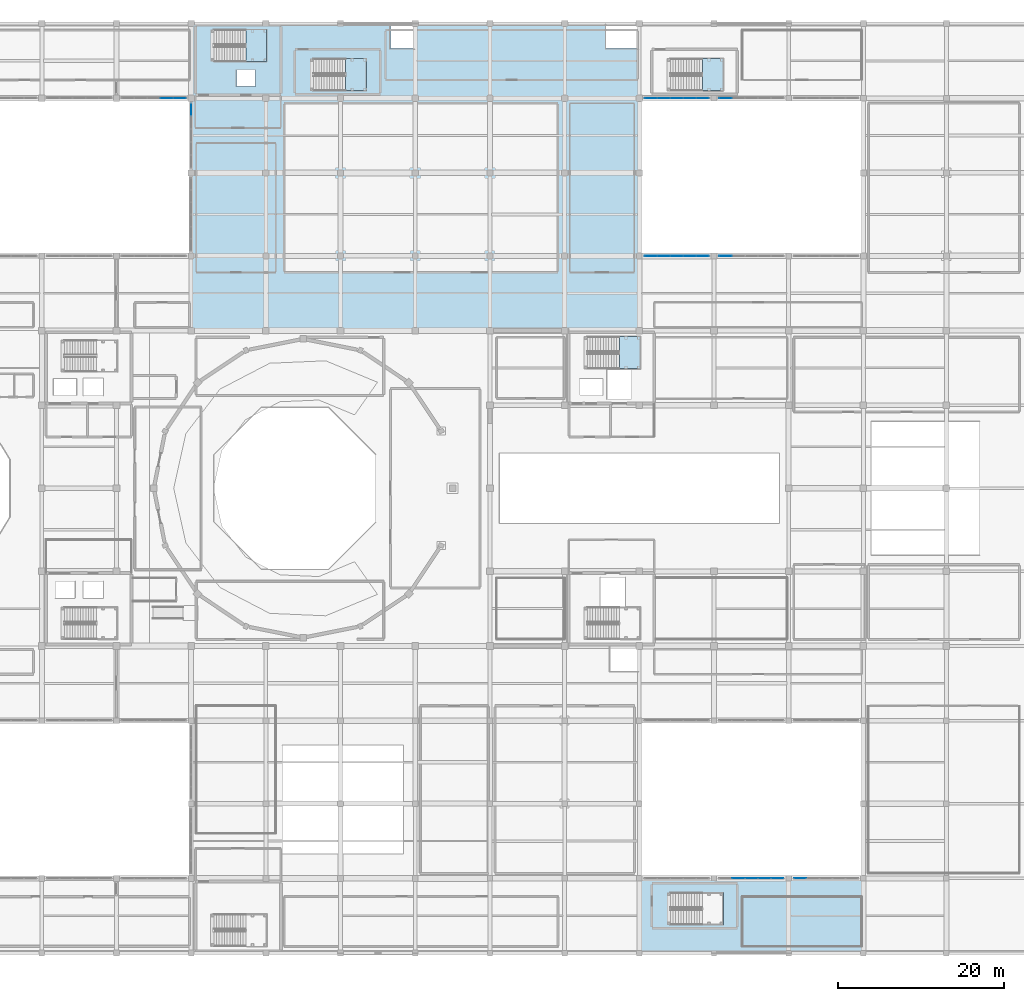
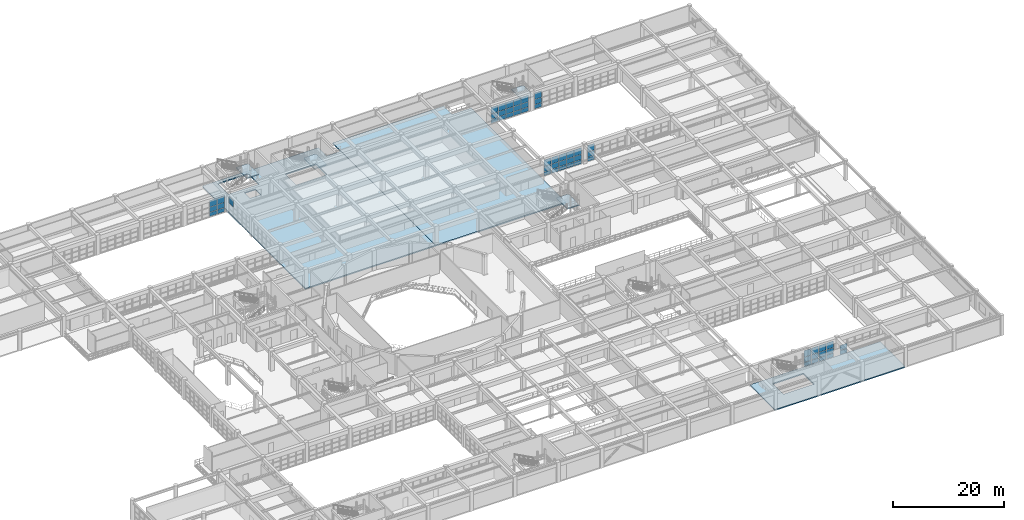
# One storey, part 98 of 133: 57 plates, 7 slabs, 12 elements without a shape of their own.
"""IFC4 building model written with IfcOpenShell, lengths in metres."""

from ifc_helpers import new_model, si_unit, direction, frame, origin, origin_2d, place, context, subcontext, project, spatial, polyline, rectangle, outline, extrude, material, layer, layer_set, type_object, element, aggregate, save


model = new_model("IFC4")

# Units and contexts
model_context = context("Model", 3, precision=1e-05, world=origin(), true_north=direction((0.0, 1.0)))
body_context = subcontext(model_context, "Body", "Model", "MODEL_VIEW")
ifc_project = project(units=[si_unit("LENGTHUNIT", "METRE"), si_unit("AREAUNIT", "SQUARE_METRE"), si_unit("VOLUMEUNIT", "CUBIC_METRE"), si_unit("PLANEANGLEUNIT", "RADIAN"), si_unit("MASSUNIT", "GRAM", prefix="KILO")], contexts=[model_context])

# Site, building, storey
site_placement = place(None, origin())
site = spatial("IfcSite", under=ifc_project, at=site_placement, CompositionType="ELEMENT")
building_placement = place(site_placement, origin())
building = spatial("IfcBuilding", under=site, at=building_placement, Name="Miravela Opera House", CompositionType="ELEMENT")
storey_placement = place(building_placement, frame((0.0, 0.0, 5.10009765625)))
storey = spatial("IfcBuildingStorey", under=building, at=storey_placement, Name="L01", CompositionType="ELEMENT", Elevation=5.10009765625)

# Curtain wall, plates
ifc_material_1 = material(Name="Anodised architectural bronze aluminium 6063-T6", Category="aluminium")
curtain_wall_type_1 = type_object("IfcCurtainWallType", Name="ARC-CW-05", PredefinedType="NOTDEFINED", material=ifc_material_1)
curtain_wall_1_placement = place(storey_placement, origin())
curtain_wall_1 = element("IfcCurtainWall", 1, at=curtain_wall_1_placement, inside=storey, type_object=curtain_wall_type_1, Name="Courtyard Arcade Curtain Wall CW-L01-084", PredefinedType="NOTDEFINED")
ifc_material_2 = material(Name="Acoustic laminated low-E insulating glass", Category="glass")
ifc_layer_1 = layer(ifc_material_2, 0.028076171875)
ifc_layer_set_1 = layer_set([ifc_layer_1])
plate_type = type_object("IfcPlateType", Name="ARC-CWP-28", PredefinedType="CURTAIN_PANEL", material=ifc_layer_set_1)
plate_1_placement = place(storey_placement, frame((60.068115234375, 103.0, 0.06005859375), z_axis=(0.0, 0.0, 1.0), x_axis=(1.0, 0.0, 0.0)))
plate_1 = element("IfcPlate", 2, at=plate_1_placement, type_object=plate_type, Name="CW-05 panel 4.1", PredefinedType="CURTAIN_PANEL", context=body_context, shape_type="SweptSolid", body=[
    extrude(rectangle(XDim=1.508056640625, YDim=0.028076171875, at=origin_2d()), origin(), (0.0, 0.0, 1.0), 0.860107421875),
])
plate_2_placement = place(storey_placement, frame((60.068115234375, 103.0, 0.97998046875), z_axis=(0.0, 0.0, 1.0), x_axis=(1.0, 0.0, 0.0)))
plate_2 = element("IfcPlate", 3, at=plate_2_placement, type_object=plate_type, Name="CW-05 panel 4.2", PredefinedType="CURTAIN_PANEL", context=body_context, shape_type="SweptSolid", body=[
    extrude(rectangle(XDim=1.508056640625, YDim=0.028076171875, at=origin_2d()), origin(), (0.0, 0.0, 1.0), 1.083740234375),
])
plate_3_placement = place(storey_placement, frame((60.068115234375, 103.0, 2.123779296875), z_axis=(0.0, 0.0, 1.0), x_axis=(1.0, 0.0, 0.0)))
plate_3 = element("IfcPlate", 4, at=plate_3_placement, type_object=plate_type, Name="CW-05 panel 4.3", PredefinedType="CURTAIN_PANEL", context=body_context, shape_type="SweptSolid", body=[
    extrude(rectangle(XDim=1.508056640625, YDim=0.028076171875, at=origin_2d()), origin(), (0.0, 0.0, 1.0), 1.42626953125),
])
plate_4_placement = place(storey_placement, frame((61.62109375, 103.0, 0.06005859375), z_axis=(0.0, 0.0, 1.0), x_axis=(1.0, 0.0, 0.0)))
plate_4 = element("IfcPlate", 5, at=plate_4_placement, type_object=plate_type, Name="CW-05 panel 5.1", PredefinedType="CURTAIN_PANEL", context=body_context, shape_type="SweptSolid", body=[
    extrude(rectangle(XDim=1.47802734375, YDim=0.028076171875, at=origin_2d()), origin(), (0.0, 0.0, 1.0), 0.860107421875),
])
plate_5_placement = place(storey_placement, frame((61.62109375, 103.0, 0.97998046875), z_axis=(0.0, 0.0, 1.0), x_axis=(1.0, 0.0, 0.0)))
plate_5 = element("IfcPlate", 6, at=plate_5_placement, type_object=plate_type, Name="CW-05 panel 5.2", PredefinedType="CURTAIN_PANEL", context=body_context, shape_type="SweptSolid", body=[
    extrude(rectangle(XDim=1.47802734375, YDim=0.028076171875, at=origin_2d()), origin(), (0.0, 0.0, 1.0), 1.083740234375),
])
plate_6_placement = place(storey_placement, frame((61.62109375, 103.0, 2.123779296875), z_axis=(0.0, 0.0, 1.0), x_axis=(1.0, 0.0, 0.0)))
plate_6 = element("IfcPlate", 7, at=plate_6_placement, type_object=plate_type, Name="CW-05 panel 5.3", PredefinedType="CURTAIN_PANEL", context=body_context, shape_type="SweptSolid", body=[
    extrude(rectangle(XDim=1.47802734375, YDim=0.028076171875, at=origin_2d()), origin(), (0.0, 0.0, 1.0), 1.42626953125),
])
aggregate(curtain_wall_1, [plate_1, plate_2, plate_3, plate_4, plate_5, plate_6])

# Curtain wall, plate
curtain_wall_2_placement = place(storey_placement, origin())
curtain_wall_2 = element("IfcCurtainWall", 8, at=curtain_wall_2_placement, inside=storey, type_object=curtain_wall_type_1, Name="Courtyard Arcade Curtain Wall CW-L01-088", PredefinedType="NOTDEFINED")
plate_7_placement = place(storey_placement, frame((63.0, 101.62109375, 2.123779296875), z_axis=(0.0, 0.0, 1.0), x_axis=(0.0, 1.0, 0.0)))
plate_7 = element("IfcPlate", 9, at=plate_7_placement, type_object=plate_type, Name="CW-05 panel 5.3", PredefinedType="CURTAIN_PANEL", context=body_context, shape_type="SweptSolid", body=[
    extrude(rectangle(XDim=1.47802734375, YDim=0.028076171875, at=origin_2d()), origin(), (0.0, 0.0, 1.0), 1.42626953125),
])
aggregate(curtain_wall_2, [plate_7])

# Curtain wall, plates
curtain_wall_3_placement = place(storey_placement, origin())
curtain_wall_3 = element("IfcCurtainWall", 10, at=curtain_wall_3_placement, inside=storey, type_object=curtain_wall_type_1, Name="Courtyard Arcade Curtain Wall CW-L01-168", PredefinedType="NOTDEFINED")
plate_8_placement = place(storey_placement, frame((118.37890625, 84.0, 0.06005859375), z_axis=(0.0, 0.0, 1.0), x_axis=(1.0, 0.0, 0.0)))
plate_8 = element("IfcPlate", 11, at=plate_8_placement, type_object=plate_type, Name="CW-05 panel 1.1", PredefinedType="CURTAIN_PANEL", context=body_context, shape_type="SweptSolid", body=[
    extrude(rectangle(XDim=1.47802734375, YDim=0.028076171875, at=origin_2d()), origin(), (0.0, 0.0, 1.0), 0.860107421875),
])
plate_9_placement = place(storey_placement, frame((118.37890625, 84.0, 0.97998046875), z_axis=(0.0, 0.0, 1.0), x_axis=(1.0, 0.0, 0.0)))
plate_9 = element("IfcPlate", 12, at=plate_9_placement, type_object=plate_type, Name="CW-05 panel 1.2", PredefinedType="CURTAIN_PANEL", context=body_context, shape_type="SweptSolid", body=[
    extrude(rectangle(XDim=1.47802734375, YDim=0.028076171875, at=origin_2d()), origin(), (0.0, 0.0, 1.0), 1.083740234375),
])
plate_10_placement = place(storey_placement, frame((118.37890625, 84.0, 2.123779296875), z_axis=(0.0, 0.0, 1.0), x_axis=(1.0, 0.0, 0.0)))
plate_10 = element("IfcPlate", 13, at=plate_10_placement, type_object=plate_type, Name="CW-05 panel 1.3", PredefinedType="CURTAIN_PANEL", context=body_context, shape_type="SweptSolid", body=[
    extrude(rectangle(XDim=1.47802734375, YDim=0.028076171875, at=origin_2d()), origin(), (0.0, 0.0, 1.0), 1.42626953125),
])
plate_11_placement = place(storey_placement, frame((119.931884765625, 84.0, 0.06005859375), z_axis=(0.0, 0.0, 1.0), x_axis=(1.0, 0.0, 0.0)))
plate_11 = element("IfcPlate", 14, at=plate_11_placement, type_object=plate_type, Name="CW-05 panel 2.1", PredefinedType="CURTAIN_PANEL", context=body_context, shape_type="SweptSolid", body=[
    extrude(rectangle(XDim=1.508056640625, YDim=0.028076171875, at=origin_2d()), origin(), (0.0, 0.0, 1.0), 0.860107421875),
])
plate_12_placement = place(storey_placement, frame((119.931884765625, 84.0, 0.97998046875), z_axis=(0.0, 0.0, 1.0), x_axis=(1.0, 0.0, 0.0)))
plate_12 = element("IfcPlate", 15, at=plate_12_placement, type_object=plate_type, Name="CW-05 panel 2.2", PredefinedType="CURTAIN_PANEL", context=body_context, shape_type="SweptSolid", body=[
    extrude(rectangle(XDim=1.508056640625, YDim=0.028076171875, at=origin_2d()), origin(), (0.0, 0.0, 1.0), 1.083740234375),
])
plate_13_placement = place(storey_placement, frame((119.931884765625, 84.0, 2.123779296875), z_axis=(0.0, 0.0, 1.0), x_axis=(1.0, 0.0, 0.0)))
plate_13 = element("IfcPlate", 16, at=plate_13_placement, type_object=plate_type, Name="CW-05 panel 2.3", PredefinedType="CURTAIN_PANEL", context=body_context, shape_type="SweptSolid", body=[
    extrude(rectangle(XDim=1.508056640625, YDim=0.028076171875, at=origin_2d()), origin(), (0.0, 0.0, 1.0), 1.42626953125),
])
plate_14_placement = place(storey_placement, frame((121.5, 84.0, 0.06005859375), z_axis=(0.0, 0.0, 1.0), x_axis=(1.0, 0.0, 0.0)))
plate_14 = element("IfcPlate", 17, at=plate_14_placement, type_object=plate_type, Name="CW-05 panel 3.1", PredefinedType="CURTAIN_PANEL", context=body_context, shape_type="SweptSolid", body=[
    extrude(rectangle(XDim=1.508056640625, YDim=0.028076171875, at=origin_2d()), origin(), (0.0, 0.0, 1.0), 0.860107421875),
])
plate_15_placement = place(storey_placement, frame((121.5, 84.0, 0.97998046875), z_axis=(0.0, 0.0, 1.0), x_axis=(1.0, 0.0, 0.0)))
plate_15 = element("IfcPlate", 18, at=plate_15_placement, type_object=plate_type, Name="CW-05 panel 3.2", PredefinedType="CURTAIN_PANEL", context=body_context, shape_type="SweptSolid", body=[
    extrude(rectangle(XDim=1.508056640625, YDim=0.028076171875, at=origin_2d()), origin(), (0.0, 0.0, 1.0), 1.083740234375),
])
plate_16_placement = place(storey_placement, frame((121.5, 84.0, 2.123779296875), z_axis=(0.0, 0.0, 1.0), x_axis=(1.0, 0.0, 0.0)))
plate_16 = element("IfcPlate", 19, at=plate_16_placement, type_object=plate_type, Name="CW-05 panel 3.3", PredefinedType="CURTAIN_PANEL", context=body_context, shape_type="SweptSolid", body=[
    extrude(rectangle(XDim=1.508056640625, YDim=0.028076171875, at=origin_2d()), origin(), (0.0, 0.0, 1.0), 1.42626953125),
])
plate_17_placement = place(storey_placement, frame((123.068115234375, 84.0, 0.06005859375), z_axis=(0.0, 0.0, 1.0), x_axis=(1.0, 0.0, 0.0)))
plate_17 = element("IfcPlate", 20, at=plate_17_placement, type_object=plate_type, Name="CW-05 panel 4.1", PredefinedType="CURTAIN_PANEL", context=body_context, shape_type="SweptSolid", body=[
    extrude(rectangle(XDim=1.508056640625, YDim=0.028076171875, at=origin_2d()), origin(), (0.0, 0.0, 1.0), 0.860107421875),
])
plate_18_placement = place(storey_placement, frame((123.068115234375, 84.0, 0.97998046875), z_axis=(0.0, 0.0, 1.0), x_axis=(1.0, 0.0, 0.0)))
plate_18 = element("IfcPlate", 21, at=plate_18_placement, type_object=plate_type, Name="CW-05 panel 4.2", PredefinedType="CURTAIN_PANEL", context=body_context, shape_type="SweptSolid", body=[
    extrude(rectangle(XDim=1.508056640625, YDim=0.028076171875, at=origin_2d()), origin(), (0.0, 0.0, 1.0), 1.083740234375),
])
plate_19_placement = place(storey_placement, frame((123.068115234375, 84.0, 2.123779296875), z_axis=(0.0, 0.0, 1.0), x_axis=(1.0, 0.0, 0.0)))
plate_19 = element("IfcPlate", 22, at=plate_19_placement, type_object=plate_type, Name="CW-05 panel 4.3", PredefinedType="CURTAIN_PANEL", context=body_context, shape_type="SweptSolid", body=[
    extrude(rectangle(XDim=1.508056640625, YDim=0.028076171875, at=origin_2d()), origin(), (0.0, 0.0, 1.0), 1.42626953125),
])
plate_20_placement = place(storey_placement, frame((124.62109375, 84.0, 0.06005859375), z_axis=(0.0, 0.0, 1.0), x_axis=(1.0, 0.0, 0.0)))
plate_20 = element("IfcPlate", 23, at=plate_20_placement, type_object=plate_type, Name="CW-05 panel 5.1", PredefinedType="CURTAIN_PANEL", context=body_context, shape_type="SweptSolid", body=[
    extrude(rectangle(XDim=1.47802734375, YDim=0.028076171875, at=origin_2d()), origin(), (0.0, 0.0, 1.0), 0.860107421875),
])
plate_21_placement = place(storey_placement, frame((124.62109375, 84.0, 0.97998046875), z_axis=(0.0, 0.0, 1.0), x_axis=(1.0, 0.0, 0.0)))
plate_21 = element("IfcPlate", 24, at=plate_21_placement, type_object=plate_type, Name="CW-05 panel 5.2", PredefinedType="CURTAIN_PANEL", context=body_context, shape_type="SweptSolid", body=[
    extrude(rectangle(XDim=1.47802734375, YDim=0.028076171875, at=origin_2d()), origin(), (0.0, 0.0, 1.0), 1.083740234375),
])
plate_22_placement = place(storey_placement, frame((124.62109375, 84.0, 2.123779296875), z_axis=(0.0, 0.0, 1.0), x_axis=(1.0, 0.0, 0.0)))
plate_22 = element("IfcPlate", 25, at=plate_22_placement, type_object=plate_type, Name="CW-05 panel 5.3", PredefinedType="CURTAIN_PANEL", context=body_context, shape_type="SweptSolid", body=[
    extrude(rectangle(XDim=1.47802734375, YDim=0.028076171875, at=origin_2d()), origin(), (0.0, 0.0, 1.0), 1.42626953125),
])
aggregate(curtain_wall_3, [plate_8, plate_9, plate_10, plate_11, plate_12, plate_13, plate_14, plate_15, plate_16, plate_17, plate_18, plate_19, plate_20, plate_21, plate_22])

curtain_wall_4_placement = place(storey_placement, origin())
curtain_wall_4 = element("IfcCurtainWall", 26, at=curtain_wall_4_placement, inside=storey, type_object=curtain_wall_type_1, Name="Courtyard Arcade Curtain Wall CW-L01-169", PredefinedType="NOTDEFINED")
plate_23_placement = place(storey_placement, frame((118.37890625, 103.0, 0.06005859375), z_axis=(0.0, 0.0, 1.0), x_axis=(1.0, 0.0, 0.0)))
plate_23 = element("IfcPlate", 27, at=plate_23_placement, type_object=plate_type, Name="CW-05 panel 1.1", PredefinedType="CURTAIN_PANEL", context=body_context, shape_type="SweptSolid", body=[
    extrude(rectangle(XDim=1.47802734375, YDim=0.028076171875, at=origin_2d()), origin(), (0.0, 0.0, 1.0), 0.860107421875),
])
plate_24_placement = place(storey_placement, frame((118.37890625, 103.0, 0.97998046875), z_axis=(0.0, 0.0, 1.0), x_axis=(1.0, 0.0, 0.0)))
plate_24 = element("IfcPlate", 28, at=plate_24_placement, type_object=plate_type, Name="CW-05 panel 1.2", PredefinedType="CURTAIN_PANEL", context=body_context, shape_type="SweptSolid", body=[
    extrude(rectangle(XDim=1.47802734375, YDim=0.028076171875, at=origin_2d()), origin(), (0.0, 0.0, 1.0), 1.083740234375),
])
plate_25_placement = place(storey_placement, frame((118.37890625, 103.0, 2.123779296875), z_axis=(0.0, 0.0, 1.0), x_axis=(1.0, 0.0, 0.0)))
plate_25 = element("IfcPlate", 29, at=plate_25_placement, type_object=plate_type, Name="CW-05 panel 1.3", PredefinedType="CURTAIN_PANEL", context=body_context, shape_type="SweptSolid", body=[
    extrude(rectangle(XDim=1.47802734375, YDim=0.028076171875, at=origin_2d()), origin(), (0.0, 0.0, 1.0), 1.42626953125),
])
plate_26_placement = place(storey_placement, frame((119.931884765625, 103.0, 0.06005859375), z_axis=(0.0, 0.0, 1.0), x_axis=(1.0, 0.0, 0.0)))
plate_26 = element("IfcPlate", 30, at=plate_26_placement, type_object=plate_type, Name="CW-05 panel 2.1", PredefinedType="CURTAIN_PANEL", context=body_context, shape_type="SweptSolid", body=[
    extrude(rectangle(XDim=1.508056640625, YDim=0.028076171875, at=origin_2d()), origin(), (0.0, 0.0, 1.0), 0.860107421875),
])
plate_27_placement = place(storey_placement, frame((119.931884765625, 103.0, 0.97998046875), z_axis=(0.0, 0.0, 1.0), x_axis=(1.0, 0.0, 0.0)))
plate_27 = element("IfcPlate", 31, at=plate_27_placement, type_object=plate_type, Name="CW-05 panel 2.2", PredefinedType="CURTAIN_PANEL", context=body_context, shape_type="SweptSolid", body=[
    extrude(rectangle(XDim=1.508056640625, YDim=0.028076171875, at=origin_2d()), origin(), (0.0, 0.0, 1.0), 1.083740234375),
])
plate_28_placement = place(storey_placement, frame((119.931884765625, 103.0, 2.123779296875), z_axis=(0.0, 0.0, 1.0), x_axis=(1.0, 0.0, 0.0)))
plate_28 = element("IfcPlate", 32, at=plate_28_placement, type_object=plate_type, Name="CW-05 panel 2.3", PredefinedType="CURTAIN_PANEL", context=body_context, shape_type="SweptSolid", body=[
    extrude(rectangle(XDim=1.508056640625, YDim=0.028076171875, at=origin_2d()), origin(), (0.0, 0.0, 1.0), 1.42626953125),
])
plate_29_placement = place(storey_placement, frame((121.5, 103.0, 0.06005859375), z_axis=(0.0, 0.0, 1.0), x_axis=(1.0, 0.0, 0.0)))
plate_29 = element("IfcPlate", 33, at=plate_29_placement, type_object=plate_type, Name="CW-05 panel 3.1", PredefinedType="CURTAIN_PANEL", context=body_context, shape_type="SweptSolid", body=[
    extrude(rectangle(XDim=1.508056640625, YDim=0.028076171875, at=origin_2d()), origin(), (0.0, 0.0, 1.0), 0.860107421875),
])
plate_30_placement = place(storey_placement, frame((121.5, 103.0, 0.97998046875), z_axis=(0.0, 0.0, 1.0), x_axis=(1.0, 0.0, 0.0)))
plate_30 = element("IfcPlate", 34, at=plate_30_placement, type_object=plate_type, Name="CW-05 panel 3.2", PredefinedType="CURTAIN_PANEL", context=body_context, shape_type="SweptSolid", body=[
    extrude(rectangle(XDim=1.508056640625, YDim=0.028076171875, at=origin_2d()), origin(), (0.0, 0.0, 1.0), 1.083740234375),
])
plate_31_placement = place(storey_placement, frame((121.5, 103.0, 2.123779296875), z_axis=(0.0, 0.0, 1.0), x_axis=(1.0, 0.0, 0.0)))
plate_31 = element("IfcPlate", 35, at=plate_31_placement, type_object=plate_type, Name="CW-05 panel 3.3", PredefinedType="CURTAIN_PANEL", context=body_context, shape_type="SweptSolid", body=[
    extrude(rectangle(XDim=1.508056640625, YDim=0.028076171875, at=origin_2d()), origin(), (0.0, 0.0, 1.0), 1.42626953125),
])
plate_32_placement = place(storey_placement, frame((123.068115234375, 103.0, 0.06005859375), z_axis=(0.0, 0.0, 1.0), x_axis=(1.0, 0.0, 0.0)))
plate_32 = element("IfcPlate", 36, at=plate_32_placement, type_object=plate_type, Name="CW-05 panel 4.1", PredefinedType="CURTAIN_PANEL", context=body_context, shape_type="SweptSolid", body=[
    extrude(rectangle(XDim=1.508056640625, YDim=0.028076171875, at=origin_2d()), origin(), (0.0, 0.0, 1.0), 0.860107421875),
])
plate_33_placement = place(storey_placement, frame((123.068115234375, 103.0, 0.97998046875), z_axis=(0.0, 0.0, 1.0), x_axis=(1.0, 0.0, 0.0)))
plate_33 = element("IfcPlate", 37, at=plate_33_placement, type_object=plate_type, Name="CW-05 panel 4.2", PredefinedType="CURTAIN_PANEL", context=body_context, shape_type="SweptSolid", body=[
    extrude(rectangle(XDim=1.508056640625, YDim=0.028076171875, at=origin_2d()), origin(), (0.0, 0.0, 1.0), 1.083740234375),
])
plate_34_placement = place(storey_placement, frame((123.068115234375, 103.0, 2.123779296875), z_axis=(0.0, 0.0, 1.0), x_axis=(1.0, 0.0, 0.0)))
plate_34 = element("IfcPlate", 38, at=plate_34_placement, type_object=plate_type, Name="CW-05 panel 4.3", PredefinedType="CURTAIN_PANEL", context=body_context, shape_type="SweptSolid", body=[
    extrude(rectangle(XDim=1.508056640625, YDim=0.028076171875, at=origin_2d()), origin(), (0.0, 0.0, 1.0), 1.42626953125),
])
plate_35_placement = place(storey_placement, frame((124.62109375, 103.0, 0.06005859375), z_axis=(0.0, 0.0, 1.0), x_axis=(1.0, 0.0, 0.0)))
plate_35 = element("IfcPlate", 39, at=plate_35_placement, type_object=plate_type, Name="CW-05 panel 5.1", PredefinedType="CURTAIN_PANEL", context=body_context, shape_type="SweptSolid", body=[
    extrude(rectangle(XDim=1.47802734375, YDim=0.028076171875, at=origin_2d()), origin(), (0.0, 0.0, 1.0), 0.860107421875),
])
plate_36_placement = place(storey_placement, frame((124.62109375, 103.0, 0.97998046875), z_axis=(0.0, 0.0, 1.0), x_axis=(1.0, 0.0, 0.0)))
plate_36 = element("IfcPlate", 40, at=plate_36_placement, type_object=plate_type, Name="CW-05 panel 5.2", PredefinedType="CURTAIN_PANEL", context=body_context, shape_type="SweptSolid", body=[
    extrude(rectangle(XDim=1.47802734375, YDim=0.028076171875, at=origin_2d()), origin(), (0.0, 0.0, 1.0), 1.083740234375),
])
plate_37_placement = place(storey_placement, frame((124.62109375, 103.0, 2.123779296875), z_axis=(0.0, 0.0, 1.0), x_axis=(1.0, 0.0, 0.0)))
plate_37 = element("IfcPlate", 41, at=plate_37_placement, type_object=plate_type, Name="CW-05 panel 5.3", PredefinedType="CURTAIN_PANEL", context=body_context, shape_type="SweptSolid", body=[
    extrude(rectangle(XDim=1.47802734375, YDim=0.028076171875, at=origin_2d()), origin(), (0.0, 0.0, 1.0), 1.42626953125),
])
aggregate(curtain_wall_4, [plate_23, plate_24, plate_25, plate_26, plate_27, plate_28, plate_29, plate_30, plate_31, plate_32, plate_33, plate_34, plate_35, plate_36, plate_37])

curtain_wall_5_placement = place(storey_placement, origin())
curtain_wall_5 = element("IfcCurtainWall", 42, at=curtain_wall_5_placement, inside=storey, type_object=curtain_wall_type_1, Name="Courtyard Arcade Curtain Wall CW-L01-172", PredefinedType="NOTDEFINED")
plate_38_placement = place(storey_placement, frame((127.37890625, 84.0, 0.06005859375), z_axis=(0.0, 0.0, 1.0), x_axis=(1.0, 0.0, 0.0)))
plate_38 = element("IfcPlate", 43, at=plate_38_placement, type_object=plate_type, Name="CW-05 panel 1.1", PredefinedType="CURTAIN_PANEL", context=body_context, shape_type="SweptSolid", body=[
    extrude(rectangle(XDim=1.47802734375, YDim=0.028076171875, at=origin_2d()), origin(), (0.0, 0.0, 1.0), 0.860107421875),
])
plate_39_placement = place(storey_placement, frame((127.37890625, 84.0, 0.97998046875), z_axis=(0.0, 0.0, 1.0), x_axis=(1.0, 0.0, 0.0)))
plate_39 = element("IfcPlate", 44, at=plate_39_placement, type_object=plate_type, Name="CW-05 panel 1.2", PredefinedType="CURTAIN_PANEL", context=body_context, shape_type="SweptSolid", body=[
    extrude(rectangle(XDim=1.47802734375, YDim=0.028076171875, at=origin_2d()), origin(), (0.0, 0.0, 1.0), 1.083740234375),
])
plate_40_placement = place(storey_placement, frame((127.37890625, 84.0, 2.123779296875), z_axis=(0.0, 0.0, 1.0), x_axis=(1.0, 0.0, 0.0)))
plate_40 = element("IfcPlate", 45, at=plate_40_placement, type_object=plate_type, Name="CW-05 panel 1.3", PredefinedType="CURTAIN_PANEL", context=body_context, shape_type="SweptSolid", body=[
    extrude(rectangle(XDim=1.47802734375, YDim=0.028076171875, at=origin_2d()), origin(), (0.0, 0.0, 1.0), 1.42626953125),
])
aggregate(curtain_wall_5, [plate_38, plate_39, plate_40])

curtain_wall_6_placement = place(storey_placement, origin())
curtain_wall_6 = element("IfcCurtainWall", 46, at=curtain_wall_6_placement, inside=storey, type_object=curtain_wall_type_1, Name="Courtyard Arcade Curtain Wall CW-L01-173", PredefinedType="NOTDEFINED")
plate_41_placement = place(storey_placement, frame((127.37890625, 103.0, 0.06005859375), z_axis=(0.0, 0.0, 1.0), x_axis=(1.0, 0.0, 0.0)))
plate_41 = element("IfcPlate", 47, at=plate_41_placement, type_object=plate_type, Name="CW-05 panel 1.1", PredefinedType="CURTAIN_PANEL", context=body_context, shape_type="SweptSolid", body=[
    extrude(rectangle(XDim=1.47802734375, YDim=0.028076171875, at=origin_2d()), origin(), (0.0, 0.0, 1.0), 0.860107421875),
])
plate_42_placement = place(storey_placement, frame((127.37890625, 103.0, 0.97998046875), z_axis=(0.0, 0.0, 1.0), x_axis=(1.0, 0.0, 0.0)))
plate_42 = element("IfcPlate", 48, at=plate_42_placement, type_object=plate_type, Name="CW-05 panel 1.2", PredefinedType="CURTAIN_PANEL", context=body_context, shape_type="SweptSolid", body=[
    extrude(rectangle(XDim=1.47802734375, YDim=0.028076171875, at=origin_2d()), origin(), (0.0, 0.0, 1.0), 1.083740234375),
])
plate_43_placement = place(storey_placement, frame((127.37890625, 103.0, 2.123779296875), z_axis=(0.0, 0.0, 1.0), x_axis=(1.0, 0.0, 0.0)))
plate_43 = element("IfcPlate", 49, at=plate_43_placement, type_object=plate_type, Name="CW-05 panel 1.3", PredefinedType="CURTAIN_PANEL", context=body_context, shape_type="SweptSolid", body=[
    extrude(rectangle(XDim=1.47802734375, YDim=0.028076171875, at=origin_2d()), origin(), (0.0, 0.0, 1.0), 1.42626953125),
])
aggregate(curtain_wall_6, [plate_41, plate_42, plate_43])

curtain_wall_type_2 = type_object("IfcCurtainWallType", Name="ARC-CW-06", PredefinedType="NOTDEFINED", material=ifc_material_1)
curtain_wall_7_placement = place(storey_placement, origin())
curtain_wall_7 = element("IfcCurtainWall", 50, at=curtain_wall_7_placement, inside=storey, type_object=curtain_wall_type_2, Name="Courtyard Arcade Curtain Wall CW-L01-175", PredefinedType="NOTDEFINED")
plate_44_placement = place(storey_placement, frame((128.931884765625, 9.0, 0.06005859375), z_axis=(0.0, 0.0, 1.0), x_axis=(1.0, 0.0, 0.0)))
plate_44 = element("IfcPlate", 51, at=plate_44_placement, type_object=plate_type, Name="CW-06 panel 2.1", PredefinedType="CURTAIN_PANEL", context=body_context, shape_type="SweptSolid", body=[
    extrude(rectangle(XDim=1.508056640625, YDim=0.028076171875, at=origin_2d()), origin(), (0.0, 0.0, 1.0), 0.860107421875),
])
plate_45_placement = place(storey_placement, frame((128.931884765625, 9.0, 0.97998046875), z_axis=(0.0, 0.0, 1.0), x_axis=(1.0, 0.0, 0.0)))
plate_45 = element("IfcPlate", 52, at=plate_45_placement, type_object=plate_type, Name="CW-06 panel 2.2", PredefinedType="CURTAIN_PANEL", context=body_context, shape_type="SweptSolid", body=[
    extrude(rectangle(XDim=1.508056640625, YDim=0.028076171875, at=origin_2d()), origin(), (0.0, 0.0, 1.0), 1.083740234375),
])
plate_46_placement = place(storey_placement, frame((128.931884765625, 9.0, 2.123779296875), z_axis=(0.0, 0.0, 1.0), x_axis=(1.0, 0.0, 0.0)))
plate_46 = element("IfcPlate", 53, at=plate_46_placement, type_object=plate_type, Name="CW-06 panel 2.3", PredefinedType="CURTAIN_PANEL", context=body_context, shape_type="SweptSolid", body=[
    extrude(rectangle(XDim=1.508056640625, YDim=0.028076171875, at=origin_2d()), origin(), (0.0, 0.0, 1.0), 1.42626953125),
])
plate_47_placement = place(storey_placement, frame((130.5, 9.0, 0.06005859375), z_axis=(0.0, 0.0, 1.0), x_axis=(1.0, 0.0, 0.0)))
plate_47 = element("IfcPlate", 54, at=plate_47_placement, type_object=plate_type, Name="CW-06 panel 3.1", PredefinedType="CURTAIN_PANEL", context=body_context, shape_type="SweptSolid", body=[
    extrude(rectangle(XDim=1.508056640625, YDim=0.028076171875, at=origin_2d()), origin(), (0.0, 0.0, 1.0), 0.860107421875),
])
plate_48_placement = place(storey_placement, frame((130.5, 9.0, 0.97998046875), z_axis=(0.0, 0.0, 1.0), x_axis=(1.0, 0.0, 0.0)))
plate_48 = element("IfcPlate", 55, at=plate_48_placement, type_object=plate_type, Name="CW-06 panel 3.2", PredefinedType="CURTAIN_PANEL", context=body_context, shape_type="SweptSolid", body=[
    extrude(rectangle(XDim=1.508056640625, YDim=0.028076171875, at=origin_2d()), origin(), (0.0, 0.0, 1.0), 1.083740234375),
])
plate_49_placement = place(storey_placement, frame((130.5, 9.0, 2.123779296875), z_axis=(0.0, 0.0, 1.0), x_axis=(1.0, 0.0, 0.0)))
plate_49 = element("IfcPlate", 56, at=plate_49_placement, type_object=plate_type, Name="CW-06 panel 3.3", PredefinedType="CURTAIN_PANEL", context=body_context, shape_type="SweptSolid", body=[
    extrude(rectangle(XDim=1.508056640625, YDim=0.028076171875, at=origin_2d()), origin(), (0.0, 0.0, 1.0), 1.42626953125),
])
plate_50_placement = place(storey_placement, frame((132.068115234375, 9.0, 0.06005859375), z_axis=(0.0, 0.0, 1.0), x_axis=(1.0, 0.0, 0.0)))
plate_50 = element("IfcPlate", 57, at=plate_50_placement, type_object=plate_type, Name="CW-06 panel 4.1", PredefinedType="CURTAIN_PANEL", context=body_context, shape_type="SweptSolid", body=[
    extrude(rectangle(XDim=1.508056640625, YDim=0.028076171875, at=origin_2d()), origin(), (0.0, 0.0, 1.0), 0.860107421875),
])
plate_51_placement = place(storey_placement, frame((132.068115234375, 9.0, 0.97998046875), z_axis=(0.0, 0.0, 1.0), x_axis=(1.0, 0.0, 0.0)))
plate_51 = element("IfcPlate", 58, at=plate_51_placement, type_object=plate_type, Name="CW-06 panel 4.2", PredefinedType="CURTAIN_PANEL", context=body_context, shape_type="SweptSolid", body=[
    extrude(rectangle(XDim=1.508056640625, YDim=0.028076171875, at=origin_2d()), origin(), (0.0, 0.0, 1.0), 1.083740234375),
])
plate_52_placement = place(storey_placement, frame((132.068115234375, 9.0, 2.123779296875), z_axis=(0.0, 0.0, 1.0), x_axis=(1.0, 0.0, 0.0)))
plate_52 = element("IfcPlate", 59, at=plate_52_placement, type_object=plate_type, Name="CW-06 panel 4.3", PredefinedType="CURTAIN_PANEL", context=body_context, shape_type="SweptSolid", body=[
    extrude(rectangle(XDim=1.508056640625, YDim=0.028076171875, at=origin_2d()), origin(), (0.0, 0.0, 1.0), 1.42626953125),
])
plate_53_placement = place(storey_placement, frame((133.62109375, 9.0, 0.06005859375), z_axis=(0.0, 0.0, 1.0), x_axis=(1.0, 0.0, 0.0)))
plate_53 = element("IfcPlate", 60, at=plate_53_placement, type_object=plate_type, Name="CW-06 panel 5.1", PredefinedType="CURTAIN_PANEL", context=body_context, shape_type="SweptSolid", body=[
    extrude(rectangle(XDim=1.47802734375, YDim=0.028076171875, at=origin_2d()), origin(), (0.0, 0.0, 1.0), 0.860107421875),
])
plate_54_placement = place(storey_placement, frame((133.62109375, 9.0, 0.97998046875), z_axis=(0.0, 0.0, 1.0), x_axis=(1.0, 0.0, 0.0)))
plate_54 = element("IfcPlate", 61, at=plate_54_placement, type_object=plate_type, Name="CW-06 panel 5.2", PredefinedType="CURTAIN_PANEL", context=body_context, shape_type="SweptSolid", body=[
    extrude(rectangle(XDim=1.47802734375, YDim=0.028076171875, at=origin_2d()), origin(), (0.0, 0.0, 1.0), 1.083740234375),
])
plate_55_placement = place(storey_placement, frame((133.62109375, 9.0, 2.123779296875), z_axis=(0.0, 0.0, 1.0), x_axis=(1.0, 0.0, 0.0)))
plate_55 = element("IfcPlate", 62, at=plate_55_placement, type_object=plate_type, Name="CW-06 panel 5.3", PredefinedType="CURTAIN_PANEL", context=body_context, shape_type="SweptSolid", body=[
    extrude(rectangle(XDim=1.47802734375, YDim=0.028076171875, at=origin_2d()), origin(), (0.0, 0.0, 1.0), 1.42626953125),
])
aggregate(curtain_wall_7, [plate_44, plate_45, plate_46, plate_47, plate_48, plate_49, plate_50, plate_51, plate_52, plate_53, plate_54, plate_55])

curtain_wall_8_placement = place(storey_placement, origin())
curtain_wall_8 = element("IfcCurtainWall", 63, at=curtain_wall_8_placement, inside=storey, type_object=curtain_wall_type_2, Name="Courtyard Arcade Curtain Wall CW-L01-179", PredefinedType="NOTDEFINED")
plate_56_placement = place(storey_placement, frame((136.37890625, 9.0, 0.06005859375), z_axis=(0.0, 0.0, 1.0), x_axis=(1.0, 0.0, 0.0)))
plate_56 = element("IfcPlate", 64, at=plate_56_placement, type_object=plate_type, Name="CW-06 panel 1.1", PredefinedType="CURTAIN_PANEL", context=body_context, shape_type="SweptSolid", body=[
    extrude(rectangle(XDim=1.47802734375, YDim=0.028076171875, at=origin_2d()), origin(), (0.0, 0.0, 1.0), 0.860107421875),
])
plate_57_placement = place(storey_placement, frame((136.37890625, 9.0, 0.97998046875), z_axis=(0.0, 0.0, 1.0), x_axis=(1.0, 0.0, 0.0)))
plate_57 = element("IfcPlate", 65, at=plate_57_placement, type_object=plate_type, Name="CW-06 panel 1.2", PredefinedType="CURTAIN_PANEL", context=body_context, shape_type="SweptSolid", body=[
    extrude(rectangle(XDim=1.47802734375, YDim=0.028076171875, at=origin_2d()), origin(), (0.0, 0.0, 1.0), 1.083740234375),
])
aggregate(curtain_wall_8, [plate_56, plate_57])

# Stair, slab
ifc_material_3 = material(Name="Concrete C35/45", Category="concrete")
stair_type_1 = type_object("IfcStairType", Name="ARC-STAIR-CORE-1680", PredefinedType="HALF_TURN_STAIR", material=ifc_material_3)
stair_1_placement = place(storey_placement, origin())
stair_1 = element("IfcStair", 66, at=stair_1_placement, inside=storey, type_object=stair_type_1, Name="L01 Core K3 North Stage and Firefighting Core Exit Stair ST-03", PredefinedType="HALF_TURN_STAIR")
ifc_layer_2 = layer(ifc_material_3, 0.199951171875)
ifc_layer_set_2 = layer_set([ifc_layer_2])
slab_type_1 = type_object("IfcSlabType", Name="ARC-LANDING-200", PredefinedType="LANDING", material=ifc_layer_set_2)
slab_1_placement = place(storey_placement, frame((0.0, 0.0, 2.010009765625)))
slab_1 = element("IfcSlab", 67, at=slab_1_placement, type_object=slab_type_1, Name="ST-03 landing 1", PredefinedType="LANDING", context=body_context, shape_type="SweptSolid", body=[
    extrude(outline(polyline([(114.580078125, 70.39990234375), (117.10009765625, 70.39990234375), (117.10009765625, 74.280029296875), (114.580078125, 74.280029296875), (114.580078125, 70.39990234375)])), origin(), (0.0, 0.0, 1.0), 0.199951171875),
])
aggregate(stair_1, [slab_1])

stair_2_placement = place(storey_placement, origin())
stair_2 = element("IfcStair", 68, at=stair_2_placement, inside=storey, type_object=stair_type_1, Name="L01 Core K5 North Rehearsal Core Exit Stair ST-05", PredefinedType="HALF_TURN_STAIR")
slab_2_placement = place(storey_placement, frame((0.0, 0.0, 2.010009765625)))
slab_2 = element("IfcSlab", 69, at=slab_2_placement, type_object=slab_type_1, Name="ST-05 landing 1", PredefinedType="LANDING", context=body_context, shape_type="SweptSolid", body=[
    extrude(outline(polyline([(69.580078125, 107.39990234375), (72.10009765625, 107.39990234375), (72.10009765625, 111.280029296875), (69.580078125, 111.280029296875), (69.580078125, 107.39990234375)])), origin(), (0.0, 0.0, 1.0), 0.199951171875),
])
aggregate(stair_2, [slab_2])

stair_type_2 = type_object("IfcStairType", Name="ARC-STAIR-WING-1680", PredefinedType="HALF_TURN_STAIR", material=ifc_material_3)
stair_3_placement = place(storey_placement, origin())
stair_3 = element("IfcStair", 70, at=stair_3_placement, inside=storey, type_object=stair_type_2, Name="L01 North Wing West Exit Stair ST-07", PredefinedType="HALF_TURN_STAIR")
ifc_layer_3 = layer(ifc_material_3, 0.215087890625)
ifc_layer_set_3 = layer_set([ifc_layer_3])
slab_type_2 = type_object("IfcSlabType", Name="ARC-LANDING-215", PredefinedType="LANDING", material=ifc_layer_set_3)
slab_3_placement = place(storey_placement, frame((0.0, 0.0, 1.994873046875)))
slab_3 = element("IfcSlab", 71, at=slab_3_placement, type_object=slab_type_2, Name="ST-07 landing 1", PredefinedType="LANDING", context=body_context, shape_type="SweptSolid", body=[
    extrude(outline(polyline([(81.580078125, 103.89990234375), (84.10009765625, 103.89990234375), (84.10009765625, 107.780029296875), (81.580078125, 107.780029296875), (81.580078125, 103.89990234375)])), origin(), (0.0, 0.0, 1.0), 0.215087890625),
])
aggregate(stair_3, [slab_3])

stair_4_placement = place(storey_placement, origin())
stair_4 = element("IfcStair", 72, at=stair_4_placement, inside=storey, type_object=stair_type_2, Name="L01 East Rehearsal Wing Exit Stair ST-09", PredefinedType="HALF_TURN_STAIR")
slab_4_placement = place(storey_placement, frame((0.0, 0.0, 1.994873046875)))
slab_4 = element("IfcSlab", 73, at=slab_4_placement, type_object=slab_type_2, Name="ST-09 landing 1", PredefinedType="LANDING", context=body_context, shape_type="SweptSolid", body=[
    extrude(outline(polyline([(124.580078125, 103.89990234375), (127.10009765625, 103.89990234375), (127.10009765625, 107.780029296875), (124.580078125, 107.780029296875), (124.580078125, 103.89990234375)])), origin(), (0.0, 0.0, 1.0), 0.215087890625),
])
aggregate(stair_4, [slab_4])

# Slabs
ifc_layer_4 = layer(ifc_material_3, 0.25)
ifc_layer_set_4 = layer_set([ifc_layer_4])
slab_type_3 = type_object("IfcSlabType", Name="STR-SLAB-FLR-250", PredefinedType="FLOOR", material=ifc_layer_set_4)
slab_5_placement = place(storey_placement, frame((0.0, 0.0, -0.25)))
element("IfcSlab", 74, at=slab_5_placement, inside=storey, type_object=slab_type_3, Name="Level L01 Floor Slab SLAB-L01-V3M1", PredefinedType="FLOOR", context=body_context, shape_type="SweptSolid", body=[
    extrude(outline(polyline([(63.0, 75.0), (90.0, 75.0), (90.0, 109.0), (87.0, 109.0), (87.0, 112.0), (63.0, 112.0), (63.0, 75.0)]), holes=[polyline([(65.739990234375, 107.39990234375), (72.10009765625, 107.39990234375), (72.10009765625, 111.280029296875), (65.739990234375, 111.280029296875), (65.739990234375, 107.39990234375)]), polyline([(77.739990234375, 103.89990234375), (84.10009765625, 103.89990234375), (84.10009765625, 107.780029296875), (77.739990234375, 107.780029296875), (77.739990234375, 103.89990234375)]), polyline([(68.449951171875, 104.39990234375), (70.75, 104.39990234375), (70.75, 106.39990234375), (68.449951171875, 106.39990234375), (68.449951171875, 104.39990234375)])]), origin(), (0.0, 0.0, 1.0), 0.25),
])
slab_6_placement = place(storey_placement, frame((0.0, 0.0, -0.25)))
element("IfcSlab", 75, at=slab_6_placement, inside=storey, type_object=slab_type_3, Name="Level L01 Floor Slab SLAB-L01-V3M2", PredefinedType="FLOOR", context=body_context, shape_type="SweptSolid", body=[
    extrude(outline(polyline([(90.0, 75.0), (117.0, 75.0), (117.0, 109.0), (113.0, 109.0), (113.0, 112.0), (90.0, 112.0), (90.0, 75.0)])), origin(), (0.0, 0.0, 1.0), 0.25),
])
slab_7_placement = place(storey_placement, frame((0.0, 0.0, -0.25)))
element("IfcSlab", 76, at=slab_7_placement, inside=storey, type_object=slab_type_3, Name="Level L01 Floor Slab SLAB-L01-V4T", PredefinedType="FLOOR", context=body_context, shape_type="SweptSolid", body=[
    extrude(outline(polyline([(117.0, 0.0), (144.0, 0.0), (144.0, 9.0), (117.0, 9.0), (117.0, 0.0)]), holes=[polyline([(120.739990234375, 3.39990234375), (127.10009765625, 3.39990234375), (127.10009765625, 7.280029296875), (120.739990234375, 7.280029296875), (120.739990234375, 3.39990234375)])]), origin(), (0.0, 0.0, 1.0), 0.25),
])

save(model, "model.ifc")
